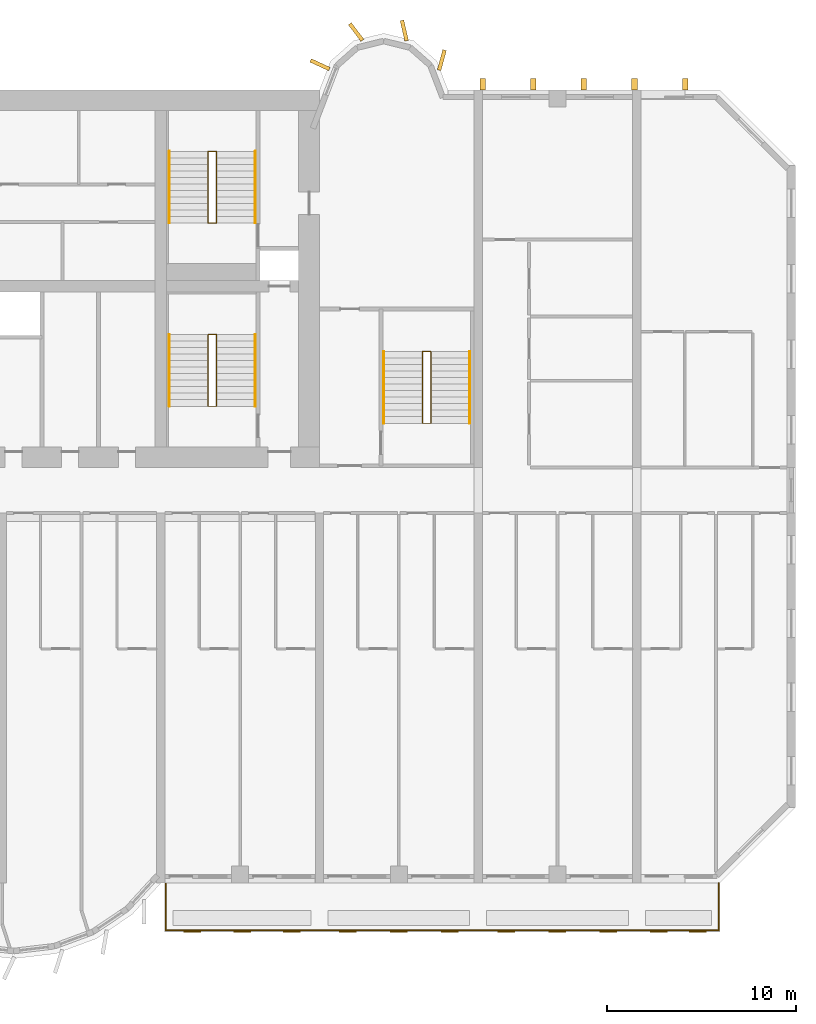
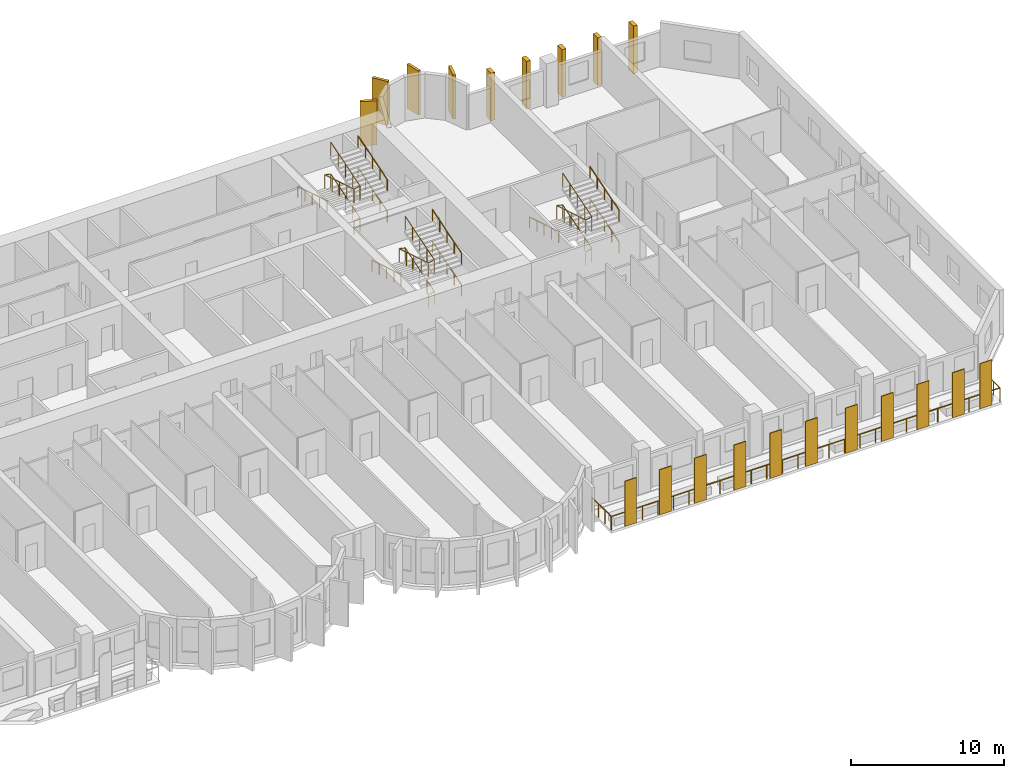
# One storey, part 14 of 15: 20 coverings, 13 railings.
"""IFC4 building model written with IfcOpenShell, lengths in metres."""

from ifc_helpers import new_model, si_unit, direction, frame, origin, origin_2d, place, context, subcontext, project, spatial, rectangle, circle, extrude, source, transform, mapped, material, layer, layer_set, material_profile, profile_set, type_object, element, save


model = new_model("IFC4")

# Units and contexts
model_context = context("Model", 3, precision=1e-05, world=origin(), true_north=direction((0.0, 1.0)))
body_context = subcontext(model_context, "Body", "Model", "MODEL_VIEW")
ifc_project = project(units=[si_unit("LENGTHUNIT", "METRE"), si_unit("AREAUNIT", "SQUARE_METRE"), si_unit("VOLUMEUNIT", "CUBIC_METRE"), si_unit("PLANEANGLEUNIT", "RADIAN"), si_unit("MASSUNIT", "GRAM", prefix="KILO")], contexts=[model_context])

# Site, building, storey
site_placement = place(None, origin())
site = spatial("IfcSite", under=ifc_project, at=site_placement, CompositionType="ELEMENT")
building_placement = place(site_placement, origin())
building = spatial("IfcBuilding", under=site, at=building_placement, Name="Vanashikhar Sky Hotel", CompositionType="ELEMENT")
storey_placement = place(building_placement, frame((0.0, 0.0, 35.39990234375)))
storey = spatial("IfcBuildingStorey", under=building, at=storey_placement, Name="L07", CompositionType="ELEMENT", Elevation=35.39990234375)

# Railing
ifc_material_1 = material(Name="Stainless steel 316", Category="steel")
railing_type_1 = type_object("IfcRailingType", Name="Balcony guard 1100", PredefinedType="GUARDRAIL", material=ifc_material_1)
shared_shape_1 = source(origin(), body_context, "Body", "SweptSolid", [
    extrude(circle(Radius=0.02392578125, at=origin_2d()), frame((0.0, 0.0, 1.076171875), z_axis=(0.0, -1.0, 0.0), x_axis=(1.0, 0.0, 0.0)), (0.0, 0.0, 1.0), 2.5),
    extrude(circle(Radius=0.02392578125, at=origin_2d()), frame((0.0, -2.5, 1.076171875), z_axis=(1.0, 0.0, 0.0), x_axis=(0.0, 1.0, 0.0)), (0.0, 0.0, 1.0), 29.280029296875),
    extrude(circle(Radius=0.02392578125, at=origin_2d()), frame((29.280029296875, -2.5, 1.076171875), z_axis=(0.0, 1.0, 0.0), x_axis=(-1.0, 0.0, 0.0)), (0.0, 0.0, 1.0), 2.5),
    extrude(circle(Radius=0.02099609375, at=origin_2d()), origin(), (0.0, 0.0, 1.0), 1.052001953125),
    extrude(circle(Radius=0.02099609375, at=origin_2d()), frame((0.0, -0.833251953125, 0.0)), (0.0, 0.0, 1.0), 1.052001953125),
    extrude(circle(Radius=0.02099609375, at=origin_2d()), frame((0.0, -1.666748046875, 0.0)), (0.0, 0.0, 1.0), 1.052001953125),
    extrude(circle(Radius=0.02099609375, at=origin_2d()), frame((0.0, -2.5, 0.0)), (0.0, 0.0, 1.0), 1.052001953125),
    extrude(circle(Radius=0.02099609375, at=origin_2d()), frame((1.171142578125, -2.5, 0.0)), (0.0, 0.0, 1.0), 1.052001953125),
    extrude(circle(Radius=0.02099609375, at=origin_2d()), frame((2.34228515625, -2.5, 0.0)), (0.0, 0.0, 1.0), 1.052001953125),
    extrude(circle(Radius=0.02099609375, at=origin_2d()), frame((3.513671875, -2.5, 0.0)), (0.0, 0.0, 1.0), 1.052001953125),
    extrude(circle(Radius=0.02099609375, at=origin_2d()), frame((4.684814453125, -2.5, 0.0)), (0.0, 0.0, 1.0), 1.052001953125),
    extrude(circle(Radius=0.02099609375, at=origin_2d()), frame((5.85595703125, -2.5, 0.0)), (0.0, 0.0, 1.0), 1.052001953125),
    extrude(circle(Radius=0.02099609375, at=origin_2d()), frame((7.027099609375, -2.5, 0.0)), (0.0, 0.0, 1.0), 1.052001953125),
    extrude(circle(Radius=0.02099609375, at=origin_2d()), frame((8.198486328125, -2.5, 0.0)), (0.0, 0.0, 1.0), 1.052001953125),
    extrude(circle(Radius=0.02099609375, at=origin_2d()), frame((9.36962890625, -2.5, 0.0)), (0.0, 0.0, 1.0), 1.052001953125),
    extrude(circle(Radius=0.02099609375, at=origin_2d()), frame((10.540771484375, -2.5, 0.0)), (0.0, 0.0, 1.0), 1.052001953125),
    extrude(circle(Radius=0.02099609375, at=origin_2d()), frame((11.7119140625, -2.5, 0.0)), (0.0, 0.0, 1.0), 1.052001953125),
    extrude(circle(Radius=0.02099609375, at=origin_2d()), frame((12.88330078125, -2.5, 0.0)), (0.0, 0.0, 1.0), 1.052001953125),
    extrude(circle(Radius=0.02099609375, at=origin_2d()), frame((14.054443359375, -2.5, 0.0)), (0.0, 0.0, 1.0), 1.052001953125),
    extrude(circle(Radius=0.02099609375, at=origin_2d()), frame((15.2255859375, -2.5, 0.0)), (0.0, 0.0, 1.0), 1.052001953125),
    extrude(circle(Radius=0.02099609375, at=origin_2d()), frame((16.396728515625, -2.5, 0.0)), (0.0, 0.0, 1.0), 1.052001953125),
    extrude(circle(Radius=0.02099609375, at=origin_2d()), frame((17.568115234375, -2.5, 0.0)), (0.0, 0.0, 1.0), 1.052001953125),
    extrude(circle(Radius=0.02099609375, at=origin_2d()), frame((18.7392578125, -2.5, 0.0)), (0.0, 0.0, 1.0), 1.052001953125),
    extrude(circle(Radius=0.02099609375, at=origin_2d()), frame((19.910400390625, -2.5, 0.0)), (0.0, 0.0, 1.0), 1.052001953125),
    extrude(circle(Radius=0.02099609375, at=origin_2d()), frame((21.08154296875, -2.5, 0.0)), (0.0, 0.0, 1.0), 1.052001953125),
    extrude(circle(Radius=0.02099609375, at=origin_2d()), frame((22.2529296875, -2.5, 0.0)), (0.0, 0.0, 1.0), 1.052001953125),
    extrude(circle(Radius=0.02099609375, at=origin_2d()), frame((23.424072265625, -2.5, 0.0)), (0.0, 0.0, 1.0), 1.052001953125),
    extrude(circle(Radius=0.02099609375, at=origin_2d()), frame((24.59521484375, -2.5, 0.0)), (0.0, 0.0, 1.0), 1.052001953125),
    extrude(circle(Radius=0.02099609375, at=origin_2d()), frame((25.766357421875, -2.5, 0.0)), (0.0, 0.0, 1.0), 1.052001953125),
    extrude(circle(Radius=0.02099609375, at=origin_2d()), frame((26.937744140625, -2.5, 0.0)), (0.0, 0.0, 1.0), 1.052001953125),
    extrude(circle(Radius=0.02099609375, at=origin_2d()), frame((28.10888671875, -2.5, 0.0)), (0.0, 0.0, 1.0), 1.052001953125),
    extrude(circle(Radius=0.02099609375, at=origin_2d()), frame((29.280029296875, -2.5, 0.0)), (0.0, 0.0, 1.0), 1.052001953125),
    extrude(circle(Radius=0.02099609375, at=origin_2d()), frame((29.280029296875, -1.666748046875, 0.0)), (0.0, 0.0, 1.0), 1.052001953125),
    extrude(circle(Radius=0.02099609375, at=origin_2d()), frame((29.280029296875, -0.833251953125, 0.0)), (0.0, 0.0, 1.0), 1.052001953125),
    extrude(circle(Radius=0.02099609375, at=origin_2d()), frame((29.280029296875, 0.0, 0.0)), (0.0, 0.0, 1.0), 1.052001953125),
])
railing_1_placement = place(storey_placement, frame((67.4599609375, 0.0, -0.0498046875)))
element("IfcRailing", 1, at=railing_1_placement, inside=storey, type_object=railing_type_1, Name="Balcony guard", PredefinedType="GUARDRAIL", context=body_context, shape_type="MappedRepresentation", body=[
    mapped(shared_shape_1, transform((0.0, 0.0, 0.0), scale=1.0)),
])

# Coverings
ifc_material_2 = material(Name="Terracotta", Category="masonry")
ifc_layer = layer(ifc_material_2, 0.06005859375)
ifc_layer_set = layer_set([ifc_layer], Name="Terracotta baguette screen")
covering_type_1 = type_object("IfcCoveringType", Name="Terracotta baguette screen", PredefinedType="CLADDING", material=ifc_layer_set)
shared_shape_2 = source(origin(), body_context, "Body", "SweptSolid", [
    extrude(rectangle(XDim=0.89990234375, YDim=0.06005859375, at=origin_2d()), origin(), (0.0, 0.0, 1.0), 3.60009765625),
])
for number, where, z_axis, x_axis, name in (
    (2, (68.86669921875, -2.570068359375, -0.050048828125), (0.0, 0.0, 1.0), (1.0, 0.0, 0.0), "Terracotta screen"),
    (3, (71.5, -2.570068359375, -0.050048828125), (0.0, 0.0, 1.0), (1.0, 0.0, 0.0), "Terracotta screen"),
    (4, (74.13330078125, -2.570068359375, -0.050048828125), (0.0, 0.0, 1.0), (1.0, 0.0, 0.0), "Terracotta screen"),
    (5, (77.10009765625, -2.570068359375, -0.050048828125), (0.0, 0.0, 1.0), (1.0, 0.0, 0.0), "Terracotta screen"),
    (6, (79.800048828125, -2.570068359375, -0.050048828125), (0.0, 0.0, 1.0), (1.0, 0.0, 0.0), "Terracotta screen"),
    (7, (82.5, -2.570068359375, -0.050048828125), (0.0, 0.0, 1.0), (1.0, 0.0, 0.0), "Terracotta screen"),
    (8, (85.5, -2.570068359375, -0.050048828125), (0.0, 0.0, 1.0), (1.0, 0.0, 0.0), "Terracotta screen"),
    (9, (88.199951171875, -2.570068359375, -0.050048828125), (0.0, 0.0, 1.0), (1.0, 0.0, 0.0), "Terracotta screen"),
    (10, (90.89990234375, -2.570068359375, -0.050048828125), (0.0, 0.0, 1.0), (1.0, 0.0, 0.0), "Terracotta screen"),
    (11, (93.574951171875, -2.570068359375, -0.050048828125), (0.0, 0.0, 1.0), (1.0, 0.0, 0.0), "Terracotta screen"),
    (12, (95.625, -2.570068359375, -0.050048828125), (0.0, 0.0, 1.0), (1.0, 0.0, 0.0), "Terracotta screen"),
):
    element("IfcCovering", number, at=place(storey_placement, frame(where, z_axis=z_axis, x_axis=x_axis)), inside=storey, type_object=covering_type_1, Name=name, PredefinedType="CLADDING", context=body_context, shape_type="MappedRepresentation", body=[
        mapped(shared_shape_2, transform((0.0, 0.0, 0.0), scale=1.0)),
    ])
ifc_material_3 = material(Name="Concrete M60 dark", Category="concrete")
ifc_material_profile_1 = material_profile(ifc_material_3, rectangle(XDim=1.10009765625, YDim=0.199951171875, at=origin_2d()))
ifc_profile_set_1 = profile_set([ifc_material_profile_1], Name="Rear lobe fin 1100 x 200")
covering_type_2 = type_object("IfcCoveringType", Name="Rear lobe fin 1100 x 200", PredefinedType="CLADDING", material=ifc_profile_set_1)
shared_shape_3 = source(origin(), body_context, "Body", "SweptSolid", [
    extrude(rectangle(XDim=1.10009765625, YDim=0.199951171875, at=origin_2d()), origin(), (0.0, 0.0, 1.0), 3.52001953125),
])
for number, where, z_axis, x_axis, name in (
    (13, (75.63037109375, 43.33447265625, 0.0), (0.0, 0.0, 1.0), (-0.908004291068, 0.418960866193, 0.0), "Fin R2-1"),
    (14, (77.5380859375, 45.06640625, 0.0), (0.0, 0.0, 1.0), (-0.602065892195, 0.798446404874, 0.0), "Fin R2-2"),
    (15, (80.08984375, 45.1455078125, 0.0), (0.0, 0.0, 1.0), (-0.224644935864, 0.974440687159, 0.0), "Fin R2-3"),
    (16, (82.0791015625, 43.580078125, 0.0), (0.0, 0.0, 1.0), (0.262711264409, 0.964874495234, 0.0), "Fin R2-4"),
):
    element("IfcCovering", number, at=place(storey_placement, frame(where, z_axis=z_axis, x_axis=x_axis)), inside=storey, type_object=covering_type_2, Name=name, PredefinedType="CLADDING", context=body_context, shape_type="MappedRepresentation", body=[
        mapped(shared_shape_3, transform((0.0, 0.0, 0.0), scale=1.0)),
    ])
ifc_material_profile_2 = material_profile(ifc_material_3, rectangle(XDim=0.60009765625, YDim=0.300048828125, at=origin_2d()))
ifc_profile_set_2 = profile_set([ifc_material_profile_2], Name="Rear rib 600 x 300")
covering_type_3 = type_object("IfcCoveringType", Name="Rear rib 600 x 300", PredefinedType="CLADDING", material=ifc_profile_set_2)
shared_shape_4 = source(origin(), body_context, "Body", "SweptSolid", [
    extrude(rectangle(XDim=0.60009765625, YDim=0.300048828125, at=origin_2d()), origin(), (0.0, 0.0, 1.0), 3.7998046875),
])
for number, where, z_axis, x_axis, name in (
    (17, (84.239990234375, 42.300048828125, -0.27978515625), (0.0, 0.0, 1.0), (0.0, 1.0, 0.0), "Rear rib"),
    (18, (86.919921875, 42.300048828125, -0.27978515625), (0.0, 0.0, 1.0), (0.0, 1.0, 0.0), "Rear rib"),
    (19, (89.60009765625, 42.300048828125, -0.27978515625), (0.0, 0.0, 1.0), (0.0, 1.0, 0.0), "Rear rib"),
    (20, (92.280029296875, 42.300048828125, -0.27978515625), (0.0, 0.0, 1.0), (0.0, 1.0, 0.0), "Rear rib"),
    (21, (94.9599609375, 42.300048828125, -0.27978515625), (0.0, 0.0, 1.0), (0.0, 1.0, 0.0), "Rear rib"),
):
    element("IfcCovering", number, at=place(storey_placement, frame(where, z_axis=z_axis, x_axis=x_axis)), inside=storey, type_object=covering_type_3, Name=name, PredefinedType="CLADDING", context=body_context, shape_type="MappedRepresentation", body=[
        mapped(shared_shape_4, transform((0.0, 0.0, 0.0), scale=1.0)),
    ])

# Railings
ifc_material_4 = material(Name="Steel S355", Category="steel")
railing_type_2 = type_object("IfcRailingType", Name="Stair handrail 900", PredefinedType="HANDRAIL", material=ifc_material_4)
shared_shape_5 = source(origin(), body_context, "Body", "SweptSolid", [
    extrude(circle(Radius=0.02392578125, at=origin_2d()), frame((0.0, 0.0, 0.8759765625), z_axis=(0.0, 0.95635109408, 0.292220096591), x_axis=(-1.0, 0.0, 0.0)), (0.0, 0.0, 1.0), 3.973388671875),
    extrude(circle(Radius=0.02099609375, at=origin_2d()), origin(), (0.0, 0.0, 1.0), 0.851806640625),
    extrude(circle(Radius=0.02099609375, at=origin_2d()), frame((0.0, 0.949951171875, 0.290283203125)), (0.0, 0.0, 1.0), 0.851806640625),
    extrude(circle(Radius=0.02099609375, at=origin_2d()), frame((0.0, 1.89990234375, 0.58056640625)), (0.0, 0.0, 1.0), 0.851806640625),
    extrude(circle(Radius=0.02099609375, at=origin_2d()), frame((0.0, 2.85009765625, 0.870849609375)), (0.0, 0.0, 1.0), 0.851806640625),
    extrude(circle(Radius=0.02099609375, at=origin_2d()), frame((0.0, 3.800048828125, 1.1611328125)), (0.0, 0.0, 1.0), 0.851806640625),
])
for number, where, name in (
    (22, (72.199951171875, 25.25, 0.105712890625), "Exit stair 2 handrail"),
    (23, (72.199951171875, 25.25, 2.638916015625), "Exit stair 2 handrail"),
    (24, (72.199951171875, 34.949951171875, 0.105712890625), "Exit stair 6 handrail"),
    (25, (72.199951171875, 34.949951171875, 2.638916015625), "Exit stair 6 handrail"),
):
    element("IfcRailing", number, at=place(storey_placement, frame(where)), inside=storey, type_object=railing_type_2, Name=name, PredefinedType="HANDRAIL", context=body_context, shape_type="MappedRepresentation", body=[
        mapped(shared_shape_5, transform((0.0, 0.0, 0.0), scale=1.0)),
    ])
shared_shape_6 = source(origin(), body_context, "Body", "SweptSolid", [
    extrude(circle(Radius=0.02392578125, at=origin_2d()), frame((0.0, 0.0, 0.8759765625), z_axis=(0.0, -0.95635109408, 0.292220096591), x_axis=(1.0, 0.0, 0.0)), (0.0, 0.0, 1.0), 3.973388671875),
    extrude(circle(Radius=0.02099609375, at=origin_2d()), origin(), (0.0, 0.0, 1.0), 0.851806640625),
    extrude(circle(Radius=0.02099609375, at=origin_2d()), frame((0.0, -0.949951171875, 0.290283203125)), (0.0, 0.0, 1.0), 0.851806640625),
    extrude(circle(Radius=0.02099609375, at=origin_2d()), frame((0.0, -1.89990234375, 0.58056640625)), (0.0, 0.0, 1.0), 0.851806640625),
    extrude(circle(Radius=0.02099609375, at=origin_2d()), frame((0.0, -2.85009765625, 0.870849609375)), (0.0, 0.0, 1.0), 0.851806640625),
    extrude(circle(Radius=0.02099609375, at=origin_2d()), frame((0.0, -3.800048828125, 1.1611328125)), (0.0, 0.0, 1.0), 0.851806640625),
])
for number, where, name in (
    (26, (67.64990234375, 29.050048828125, 1.372314453125), "Exit stair 2 handrail"),
    (27, (67.64990234375, 38.75, 1.372314453125), "Exit stair 6 handrail"),
):
    element("IfcRailing", number, at=place(storey_placement, frame(where)), inside=storey, type_object=railing_type_2, Name=name, PredefinedType="HANDRAIL", context=body_context, shape_type="MappedRepresentation", body=[
        mapped(shared_shape_6, transform((0.0, 0.0, 0.0), scale=1.0)),
    ])
railing_type_3 = type_object("IfcRailingType", Name="Stair guard 1100", PredefinedType="GUARDRAIL", material=ifc_material_4)
shared_shape_7 = source(origin(), body_context, "Body", "SweptSolid", [
    extrude(circle(Radius=0.02392578125, at=origin_2d()), frame((0.0, 0.0, 1.076171875), z_axis=(0.973493315427, 0.0, 0.228715466945), x_axis=(0.0, 1.0, 0.0)), (0.0, 0.0, 1.0), 0.462158203125),
    extrude(circle(Radius=0.02392578125, at=origin_2d()), frame((0.449951171875, 0.0, 1.181640625), z_axis=(0.0, 0.95635109408, 0.292220096591), x_axis=(-1.0, 0.0, 0.0)), (0.0, 0.0, 1.0), 3.973388671875),
    extrude(circle(Radius=0.02392578125, at=origin_2d()), frame((0.449951171875, 3.800048828125, 2.3427734375), z_axis=(-0.973610808694, 0.0, 0.228214796178), x_axis=(0.0, -1.0, 0.0)), (0.0, 0.0, 1.0), 0.462158203125),
    extrude(circle(Radius=0.02392578125, at=origin_2d()), frame((0.0, 3.800048828125, 2.4482421875), z_axis=(0.0, -0.95635109408, 0.292220096591), x_axis=(1.0, 0.0, 0.0)), (0.0, 0.0, 1.0), 3.973388671875),
    extrude(circle(Radius=0.02392578125, at=origin_2d()), frame((0.0, 0.0, 3.609375), z_axis=(0.973610808694, 0.0, 0.228214796178), x_axis=(0.0, 1.0, 0.0)), (0.0, 0.0, 1.0), 0.462158203125),
    extrude(circle(Radius=0.02392578125, at=origin_2d()), frame((0.449951171875, 0.0, 3.71484375), z_axis=(0.0, 0.95635109408, 0.292220096591), x_axis=(-1.0, 0.0, 0.0)), (0.0, 0.0, 1.0), 3.973388671875),
    extrude(circle(Radius=0.02099609375, at=origin_2d()), origin(), (0.0, 0.0, 1.0), 1.052001953125),
    extrude(circle(Radius=0.02099609375, at=origin_2d()), frame((0.449951171875, 0.0, 0.105712890625)), (0.0, 0.0, 1.0), 1.052001953125),
    extrude(circle(Radius=0.02099609375, at=origin_2d()), frame((0.449951171875, 0.949951171875, 0.39599609375)), (0.0, 0.0, 1.0), 1.052001953125),
    extrude(circle(Radius=0.02099609375, at=origin_2d()), frame((0.449951171875, 1.89990234375, 0.686279296875)), (0.0, 0.0, 1.0), 1.052001953125),
    extrude(circle(Radius=0.02099609375, at=origin_2d()), frame((0.449951171875, 2.85009765625, 0.9765625)), (0.0, 0.0, 1.0), 1.052001953125),
    extrude(circle(Radius=0.02099609375, at=origin_2d()), frame((0.449951171875, 3.800048828125, 1.266845703125)), (0.0, 0.0, 1.0), 1.052001953125),
    extrude(circle(Radius=0.02099609375, at=origin_2d()), frame((0.0, 3.800048828125, 1.372314453125)), (0.0, 0.0, 1.0), 1.052001953125),
    extrude(circle(Radius=0.02099609375, at=origin_2d()), frame((0.0, 2.85009765625, 1.66259765625)), (0.0, 0.0, 1.0), 1.052001953125),
    extrude(circle(Radius=0.02099609375, at=origin_2d()), frame((0.0, 1.89990234375, 1.952880859375)), (0.0, 0.0, 1.0), 1.052001953125),
    extrude(circle(Radius=0.02099609375, at=origin_2d()), frame((0.0, 0.949951171875, 2.2431640625)), (0.0, 0.0, 1.0), 1.052001953125),
    extrude(circle(Radius=0.02099609375, at=origin_2d()), frame((0.0, 0.0, 2.533447265625)), (0.0, 0.0, 1.0), 1.052001953125),
    extrude(circle(Radius=0.02099609375, at=origin_2d()), frame((0.449951171875, 0.0, 2.638916015625)), (0.0, 0.0, 1.0), 1.052001953125),
    extrude(circle(Radius=0.02099609375, at=origin_2d()), frame((0.449951171875, 0.949951171875, 2.92919921875)), (0.0, 0.0, 1.0), 1.052001953125),
    extrude(circle(Radius=0.02099609375, at=origin_2d()), frame((0.449951171875, 1.89990234375, 3.219482421875)), (0.0, 0.0, 1.0), 1.052001953125),
    extrude(circle(Radius=0.02099609375, at=origin_2d()), frame((0.449951171875, 2.85009765625, 3.509765625)), (0.0, 0.0, 1.0), 1.052001953125),
    extrude(circle(Radius=0.02099609375, at=origin_2d()), frame((0.449951171875, 3.800048828125, 3.800048828125)), (0.0, 0.0, 1.0), 1.052001953125),
])
for number, where, name in (
    (28, (69.699951171875, 25.25, 0.0), "Exit stair 2 guard"),
    (29, (69.699951171875, 34.949951171875, 0.0), "Exit stair 6 guard"),
):
    element("IfcRailing", number, at=place(storey_placement, frame(where)), inside=storey, type_object=railing_type_3, Name=name, PredefinedType="GUARDRAIL", context=body_context, shape_type="MappedRepresentation", body=[
        mapped(shared_shape_7, transform((0.0, 0.0, 0.0), scale=1.0)),
    ])
shared_shape_8 = source(origin(), body_context, "Body", "SweptSolid", [
    extrude(circle(Radius=0.02392578125, at=origin_2d()), frame((0.0, 0.0, 0.8759765625), z_axis=(0.0, 0.956345846891, 0.292237268557), x_axis=(-1.0, 0.0, 0.0)), (0.0, 0.0, 1.0), 3.97314453125),
    extrude(circle(Radius=0.02099609375, at=origin_2d()), origin(), (0.0, 0.0, 1.0), 0.851806640625),
    extrude(circle(Radius=0.02099609375, at=origin_2d()), frame((0.0, 0.949951171875, 0.290283203125)), (0.0, 0.0, 1.0), 0.851806640625),
    extrude(circle(Radius=0.02099609375, at=origin_2d()), frame((0.0, 1.89990234375, 0.58056640625)), (0.0, 0.0, 1.0), 0.851806640625),
    extrude(circle(Radius=0.02099609375, at=origin_2d()), frame((0.0, 2.849853515625, 0.870849609375)), (0.0, 0.0, 1.0), 0.851806640625),
    extrude(circle(Radius=0.02099609375, at=origin_2d()), frame((0.0, 3.7998046875, 1.1611328125)), (0.0, 0.0, 1.0), 0.851806640625),
])
for number, where, name in (
    (30, (83.550048828125, 24.35009765625, 0.105712890625), "Exit stair 4 handrail"),
    (31, (83.550048828125, 24.35009765625, 2.638916015625), "Exit stair 4 handrail"),
):
    element("IfcRailing", number, at=place(storey_placement, frame(where)), inside=storey, type_object=railing_type_2, Name=name, PredefinedType="HANDRAIL", context=body_context, shape_type="MappedRepresentation", body=[
        mapped(shared_shape_8, transform((0.0, 0.0, 0.0), scale=1.0)),
    ])
shared_shape_9 = source(origin(), body_context, "Body", "SweptSolid", [
    extrude(circle(Radius=0.02392578125, at=origin_2d()), frame((0.0, 0.0, 0.8759765625), z_axis=(0.0, -0.956345846891, 0.292237268557), x_axis=(1.0, 0.0, 0.0)), (0.0, 0.0, 1.0), 3.97314453125),
    extrude(circle(Radius=0.02099609375, at=origin_2d()), origin(), (0.0, 0.0, 1.0), 0.851806640625),
    extrude(circle(Radius=0.02099609375, at=origin_2d()), frame((0.0, -0.949951171875, 0.290283203125)), (0.0, 0.0, 1.0), 0.851806640625),
    extrude(circle(Radius=0.02099609375, at=origin_2d()), frame((0.0, -1.89990234375, 0.58056640625)), (0.0, 0.0, 1.0), 0.851806640625),
    extrude(circle(Radius=0.02099609375, at=origin_2d()), frame((0.0, -2.849853515625, 0.870849609375)), (0.0, 0.0, 1.0), 0.851806640625),
    extrude(circle(Radius=0.02099609375, at=origin_2d()), frame((0.0, -3.7998046875, 1.1611328125)), (0.0, 0.0, 1.0), 0.851806640625),
])
railing_2_placement = place(storey_placement, frame((79.0, 28.14990234375, 1.372314453125)))
element("IfcRailing", 32, at=railing_2_placement, inside=storey, type_object=railing_type_2, Name="Exit stair 4 handrail", PredefinedType="HANDRAIL", context=body_context, shape_type="MappedRepresentation", body=[
    mapped(shared_shape_9, transform((0.0, 0.0, 0.0), scale=1.0)),
])
shared_shape_10 = source(origin(), body_context, "Body", "SweptSolid", [
    extrude(circle(Radius=0.02392578125, at=origin_2d()), frame((0.0, 0.0, 1.076171875), z_axis=(0.973493315427, 0.0, 0.228715466945), x_axis=(0.0, 1.0, 0.0)), (0.0, 0.0, 1.0), 0.462158203125),
    extrude(circle(Radius=0.02392578125, at=origin_2d()), frame((0.449951171875, 0.0, 1.181640625), z_axis=(0.0, 0.956345846891, 0.292237268557), x_axis=(-1.0, 0.0, 0.0)), (0.0, 0.0, 1.0), 3.97314453125),
    extrude(circle(Radius=0.02392578125, at=origin_2d()), frame((0.449951171875, 3.7998046875, 2.3427734375), z_axis=(-0.973610808694, 0.0, 0.228214796178), x_axis=(0.0, -1.0, 0.0)), (0.0, 0.0, 1.0), 0.462158203125),
    extrude(circle(Radius=0.02392578125, at=origin_2d()), frame((0.0, 3.7998046875, 2.4482421875), z_axis=(0.0, -0.956345846891, 0.292237268557), x_axis=(1.0, 0.0, 0.0)), (0.0, 0.0, 1.0), 3.97314453125),
    extrude(circle(Radius=0.02392578125, at=origin_2d()), frame((0.0, 0.0, 3.609375), z_axis=(0.973610808694, 0.0, 0.228214796178), x_axis=(0.0, 1.0, 0.0)), (0.0, 0.0, 1.0), 0.462158203125),
    extrude(circle(Radius=0.02392578125, at=origin_2d()), frame((0.449951171875, 0.0, 3.71484375), z_axis=(0.0, 0.956345846891, 0.292237268557), x_axis=(-1.0, 0.0, 0.0)), (0.0, 0.0, 1.0), 3.97314453125),
    extrude(circle(Radius=0.02099609375, at=origin_2d()), origin(), (0.0, 0.0, 1.0), 1.052001953125),
    extrude(circle(Radius=0.02099609375, at=origin_2d()), frame((0.449951171875, 0.0, 0.105712890625)), (0.0, 0.0, 1.0), 1.052001953125),
    extrude(circle(Radius=0.02099609375, at=origin_2d()), frame((0.449951171875, 0.949951171875, 0.39599609375)), (0.0, 0.0, 1.0), 1.052001953125),
    extrude(circle(Radius=0.02099609375, at=origin_2d()), frame((0.449951171875, 1.89990234375, 0.686279296875)), (0.0, 0.0, 1.0), 1.052001953125),
    extrude(circle(Radius=0.02099609375, at=origin_2d()), frame((0.449951171875, 2.849853515625, 0.9765625)), (0.0, 0.0, 1.0), 1.052001953125),
    extrude(circle(Radius=0.02099609375, at=origin_2d()), frame((0.449951171875, 3.7998046875, 1.266845703125)), (0.0, 0.0, 1.0), 1.052001953125),
    extrude(circle(Radius=0.02099609375, at=origin_2d()), frame((0.0, 3.7998046875, 1.372314453125)), (0.0, 0.0, 1.0), 1.052001953125),
    extrude(circle(Radius=0.02099609375, at=origin_2d()), frame((0.0, 2.849853515625, 1.66259765625)), (0.0, 0.0, 1.0), 1.052001953125),
    extrude(circle(Radius=0.02099609375, at=origin_2d()), frame((0.0, 1.89990234375, 1.952880859375)), (0.0, 0.0, 1.0), 1.052001953125),
    extrude(circle(Radius=0.02099609375, at=origin_2d()), frame((0.0, 0.949951171875, 2.2431640625)), (0.0, 0.0, 1.0), 1.052001953125),
    extrude(circle(Radius=0.02099609375, at=origin_2d()), frame((0.0, 0.0, 2.533447265625)), (0.0, 0.0, 1.0), 1.052001953125),
    extrude(circle(Radius=0.02099609375, at=origin_2d()), frame((0.449951171875, 0.0, 2.638916015625)), (0.0, 0.0, 1.0), 1.052001953125),
    extrude(circle(Radius=0.02099609375, at=origin_2d()), frame((0.449951171875, 0.949951171875, 2.92919921875)), (0.0, 0.0, 1.0), 1.052001953125),
    extrude(circle(Radius=0.02099609375, at=origin_2d()), frame((0.449951171875, 1.89990234375, 3.219482421875)), (0.0, 0.0, 1.0), 1.052001953125),
    extrude(circle(Radius=0.02099609375, at=origin_2d()), frame((0.449951171875, 2.849853515625, 3.509765625)), (0.0, 0.0, 1.0), 1.052001953125),
    extrude(circle(Radius=0.02099609375, at=origin_2d()), frame((0.449951171875, 3.7998046875, 3.800048828125)), (0.0, 0.0, 1.0), 1.052001953125),
])
railing_3_placement = place(storey_placement, frame((81.050048828125, 24.35009765625, 0.0)))
element("IfcRailing", 33, at=railing_3_placement, inside=storey, type_object=railing_type_3, Name="Exit stair 4 guard", PredefinedType="GUARDRAIL", context=body_context, shape_type="MappedRepresentation", body=[
    mapped(shared_shape_10, transform((0.0, 0.0, 0.0), scale=1.0)),
])

save(model, "model.ifc")
